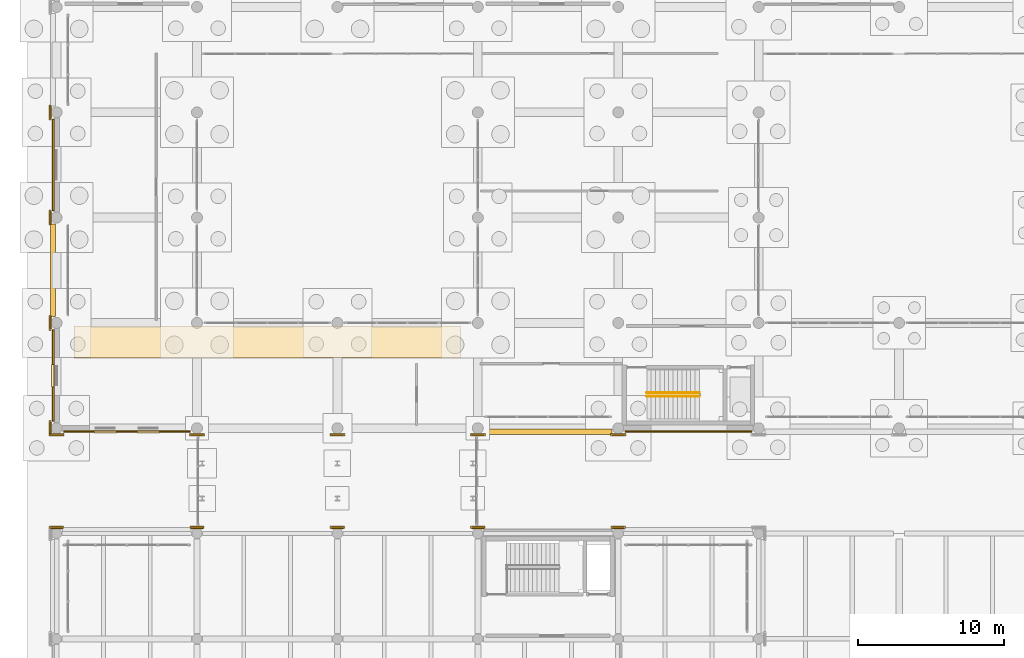
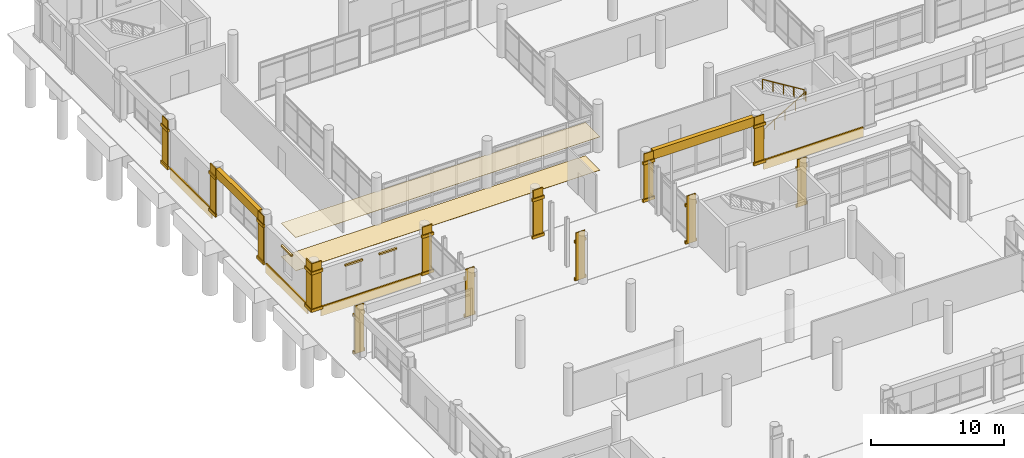
# One storey, part 182 of 196: 53 coverings, 2 railings.
"""IFC4 building model written with IfcOpenShell, lengths in metres."""

from ifc_helpers import new_model, si_unit, direction, frame, origin, origin_2d, place, context, subcontext, project, spatial, polyline, rectangle, circle, outline, extrude, material, layer, layer_set, type_object, element, save


model = new_model("IFC4")

# Units and contexts
model_context = context("Model", 3, precision=1e-05, world=origin(), true_north=direction((0.0, 1.0)))
body_context = subcontext(model_context, "Body", "Model", "MODEL_VIEW")
ifc_project = project(units=[si_unit("LENGTHUNIT", "METRE"), si_unit("AREAUNIT", "SQUARE_METRE"), si_unit("VOLUMEUNIT", "CUBIC_METRE"), si_unit("PLANEANGLEUNIT", "RADIAN"), si_unit("MASSUNIT", "GRAM", prefix="KILO")], contexts=[model_context])

# Site, building, storey
site_placement = place(None, origin())
site = spatial("IfcSite", under=ifc_project, at=site_placement, CompositionType="ELEMENT")
building_placement = place(site_placement, origin())
building = spatial("IfcBuilding", under=site, at=building_placement, Name="Asteropetra Specialist Clinic", CompositionType="ELEMENT")
storey_placement = place(building_placement, origin())
storey = spatial("IfcBuildingStorey", under=building, at=storey_placement, Name="L00", CompositionType="ELEMENT", Elevation=0.0)

# Coverings
ifc_material_1 = material(Name="Hygienic acoustic ceiling tile")
ifc_layer_1 = layer(ifc_material_1, 0.02490234375)
ifc_layer_set_1 = layer_set([ifc_layer_1], Name="Hygienic acoustic ceiling tile")
covering_type_1 = type_object("IfcCoveringType", Name="CLG-ACOUSTIC", PredefinedType="CEILING", material=ifc_layer_set_1)
covering_1_placement = place(storey_placement, frame((0.0, 0.0, 3.050048828125)))
element("IfcCovering", 1, at=covering_1_placement, inside=storey, type_object=covering_type_1, Name="Acoustic Ceiling CLG-L00-V4", PredefinedType="CEILING", context=body_context, shape_type="SweptSolid", body=[
    extrude(outline(polyline([(1.199951171875, 74.39990234375), (27.60009765625, 74.39990234375), (27.60009765625, 76.60009765625), (1.199951171875, 76.60009765625), (1.199951171875, 74.39990234375)])), origin(), (0.0, 0.0, 1.0), 0.02490234375),
])
ifc_material_2 = material(Name="Pentelic marble ashlar", Category="masonry")
ifc_layer_2 = layer(ifc_material_2, 0.159912109375)
ifc_layer_set_2 = layer_set([ifc_layer_2], Name="Pentelic marble ashlar")
covering_type_2 = type_object("IfcCoveringType", Name="CRN-ENTAB-600", PredefinedType="MOLDING", material=ifc_layer_set_2)
covering_2_placement = place(storey_placement, frame((33.60009765625, 69.360107421875, 3.58984375), z_axis=(0.0, 0.0, 1.0), x_axis=(1.0, 0.0, 0.0)))
element("IfcCovering", 2, at=covering_2_placement, inside=storey, type_object=covering_type_2, Name="Stoa Classical Entablature SE-0063", PredefinedType="MOLDING", context=body_context, shape_type="SweptSolid", body=[
    extrude(rectangle(XDim=8.72998046875, YDim=0.360107421875, at=origin_2d()), origin(), (0.0, 0.0, 1.0), 0.820068359375),
])
covering_3_placement = place(storey_placement, frame((-0.239990234375, 80.39990234375, 3.58984375), z_axis=(0.0, 0.0, 1.0), x_axis=(1.0, 0.0, 0.0)))
element("IfcCovering", 3, at=covering_3_placement, inside=storey, type_object=covering_type_2, Name="Stoa Classical Entablature SE-0067", PredefinedType="MOLDING", context=body_context, shape_type="SweptSolid", body=[
    extrude(rectangle(XDim=0.360107421875, YDim=6.330078125, at=origin_2d()), origin(), (0.0, 0.0, 1.0), 0.820068359375),
])
covering_4_placement = place(storey_placement, frame((0.0, 69.193115234375, 0.02001953125), z_axis=(0.0, 0.0, 1.0), x_axis=(1.0, 0.0, 0.0)))
element("IfcCovering", 4, at=covering_4_placement, inside=storey, type_object=covering_type_2, Name="Neoclassical Pilaster Facing CM-0457", PredefinedType="MOLDING", context=body_context, shape_type="SweptSolid", body=[
    extrude(rectangle(XDim=0.830078125, YDim=0.080078125, at=origin_2d()), origin(), (0.0, 0.0, 1.0), 4.3798828125),
])
for number, where, z_axis, x_axis, name in (
    (5, (0.0, 69.153076171875, 0.009765625), (0.0, 0.0, 1.0), (1.0, 0.0, 0.0), "Doric Base CC-0458"),
    (6, (0.0, 69.153076171875, 3.43017578125), (0.0, 0.0, 1.0), (1.0, 0.0, 0.0), "Doric Capital CC-0459"),
):
    element("IfcCovering", number, at=place(storey_placement, frame(where, z_axis=z_axis, x_axis=x_axis)), inside=storey, type_object=covering_type_2, Name=name, PredefinedType="MOLDING", context=body_context, shape_type="SweptSolid", body=[
        extrude(rectangle(XDim=1.030029296875, YDim=0.159912109375, at=origin_2d()), origin(), (0.0, 0.0, 1.0), 0.260009765625),
    ])
covering_5_placement = place(storey_placement, frame((-0.406982421875, 69.60009765625, 0.02001953125), z_axis=(0.0, 0.0, 1.0), x_axis=(1.0, 0.0, 0.0)))
element("IfcCovering", 7, at=covering_5_placement, inside=storey, type_object=covering_type_2, Name="Neoclassical Pilaster Facing CM-0460", PredefinedType="MOLDING", context=body_context, shape_type="SweptSolid", body=[
    extrude(rectangle(XDim=0.080078125, YDim=0.830078125, at=origin_2d()), origin(), (0.0, 0.0, 1.0), 4.3798828125),
])
for number, where, z_axis, x_axis, name in (
    (8, (-0.447021484375, 69.60009765625, 0.009765625), (0.0, 0.0, 1.0), (1.0, 0.0, 0.0), "Doric Base CC-0461"),
    (9, (-0.447021484375, 69.60009765625, 3.43017578125), (0.0, 0.0, 1.0), (1.0, 0.0, 0.0), "Doric Capital CC-0462"),
):
    element("IfcCovering", number, at=place(storey_placement, frame(where, z_axis=z_axis, x_axis=x_axis)), inside=storey, type_object=covering_type_2, Name=name, PredefinedType="MOLDING", context=body_context, shape_type="SweptSolid", body=[
        extrude(rectangle(XDim=0.159912109375, YDim=1.030029296875, at=origin_2d()), origin(), (0.0, 0.0, 1.0), 0.260009765625),
    ])
covering_6_placement = place(storey_placement, frame((-0.406982421875, 76.800048828125, 0.02001953125), z_axis=(0.0, 0.0, 1.0), x_axis=(1.0, 0.0, 0.0)))
element("IfcCovering", 10, at=covering_6_placement, inside=storey, type_object=covering_type_2, Name="Neoclassical Pilaster Facing CM-0463", PredefinedType="MOLDING", context=body_context, shape_type="SweptSolid", body=[
    extrude(rectangle(XDim=0.080078125, YDim=0.830078125, at=origin_2d()), origin(), (0.0, 0.0, 1.0), 4.3798828125),
])
for number, where, z_axis, x_axis, name in (
    (11, (-0.447021484375, 76.800048828125, 0.009765625), (0.0, 0.0, 1.0), (1.0, 0.0, 0.0), "Doric Base CC-0464"),
    (12, (-0.447021484375, 76.800048828125, 3.43017578125), (0.0, 0.0, 1.0), (1.0, 0.0, 0.0), "Doric Capital CC-0465"),
):
    element("IfcCovering", number, at=place(storey_placement, frame(where, z_axis=z_axis, x_axis=x_axis)), inside=storey, type_object=covering_type_2, Name=name, PredefinedType="MOLDING", context=body_context, shape_type="SweptSolid", body=[
        extrude(rectangle(XDim=0.159912109375, YDim=1.030029296875, at=origin_2d()), origin(), (0.0, 0.0, 1.0), 0.260009765625),
    ])
covering_7_placement = place(storey_placement, frame((-0.406982421875, 84.0, 0.02001953125), z_axis=(0.0, 0.0, 1.0), x_axis=(1.0, 0.0, 0.0)))
element("IfcCovering", 13, at=covering_7_placement, inside=storey, type_object=covering_type_2, Name="Neoclassical Pilaster Facing CM-0466", PredefinedType="MOLDING", context=body_context, shape_type="SweptSolid", body=[
    extrude(rectangle(XDim=0.080078125, YDim=0.830078125, at=origin_2d()), origin(), (0.0, 0.0, 1.0), 4.3798828125),
])
for number, where, z_axis, x_axis, name in (
    (14, (-0.447021484375, 84.0, 0.009765625), (0.0, 0.0, 1.0), (1.0, 0.0, 0.0), "Doric Base CC-0467"),
    (15, (-0.447021484375, 84.0, 3.43017578125), (0.0, 0.0, 1.0), (1.0, 0.0, 0.0), "Doric Capital CC-0468"),
):
    element("IfcCovering", number, at=place(storey_placement, frame(where, z_axis=z_axis, x_axis=x_axis)), inside=storey, type_object=covering_type_2, Name=name, PredefinedType="MOLDING", context=body_context, shape_type="SweptSolid", body=[
        extrude(rectangle(XDim=0.159912109375, YDim=1.030029296875, at=origin_2d()), origin(), (0.0, 0.0, 1.0), 0.260009765625),
    ])
covering_8_placement = place(storey_placement, frame((-0.406982421875, 91.199951171875, 0.02001953125), z_axis=(0.0, 0.0, 1.0), x_axis=(1.0, 0.0, 0.0)))
element("IfcCovering", 16, at=covering_8_placement, inside=storey, type_object=covering_type_2, Name="Neoclassical Pilaster Facing CM-0469", PredefinedType="MOLDING", context=body_context, shape_type="SweptSolid", body=[
    extrude(rectangle(XDim=0.080078125, YDim=0.830078125, at=origin_2d()), origin(), (0.0, 0.0, 1.0), 4.3798828125),
])
for number, where, z_axis, x_axis, name in (
    (17, (-0.447021484375, 91.199951171875, 0.009765625), (0.0, 0.0, 1.0), (1.0, 0.0, 0.0), "Doric Base CC-0470"),
    (18, (-0.447021484375, 91.199951171875, 3.43017578125), (0.0, 0.0, 1.0), (1.0, 0.0, 0.0), "Doric Capital CC-0471"),
):
    element("IfcCovering", number, at=place(storey_placement, frame(where, z_axis=z_axis, x_axis=x_axis)), inside=storey, type_object=covering_type_2, Name=name, PredefinedType="MOLDING", context=body_context, shape_type="SweptSolid", body=[
        extrude(rectangle(XDim=0.159912109375, YDim=1.030029296875, at=origin_2d()), origin(), (0.0, 0.0, 1.0), 0.260009765625),
    ])
covering_9_placement = place(storey_placement, frame((9.60009765625, 69.193115234375, 0.02001953125), z_axis=(0.0, 0.0, 1.0), x_axis=(1.0, 0.0, 0.0)))
element("IfcCovering", 19, at=covering_9_placement, inside=storey, type_object=covering_type_2, Name="Neoclassical Pilaster Facing CM-0484", PredefinedType="MOLDING", context=body_context, shape_type="SweptSolid", body=[
    extrude(rectangle(XDim=0.830078125, YDim=0.080078125, at=origin_2d()), origin(), (0.0, 0.0, 1.0), 4.3798828125),
])
for number, where, z_axis, x_axis, name in (
    (20, (9.60009765625, 69.153076171875, 0.009765625), (0.0, 0.0, 1.0), (1.0, 0.0, 0.0), "Doric Base CC-0485"),
    (21, (9.60009765625, 69.153076171875, 3.43017578125), (0.0, 0.0, 1.0), (1.0, 0.0, 0.0), "Doric Capital CC-0486"),
):
    element("IfcCovering", number, at=place(storey_placement, frame(where, z_axis=z_axis, x_axis=x_axis)), inside=storey, type_object=covering_type_2, Name=name, PredefinedType="MOLDING", context=body_context, shape_type="SweptSolid", body=[
        extrude(rectangle(XDim=1.030029296875, YDim=0.159912109375, at=origin_2d()), origin(), (0.0, 0.0, 1.0), 0.260009765625),
    ])
covering_10_placement = place(storey_placement, frame((19.199951171875, 69.193115234375, 0.02001953125), z_axis=(0.0, 0.0, 1.0), x_axis=(1.0, 0.0, 0.0)))
element("IfcCovering", 22, at=covering_10_placement, inside=storey, type_object=covering_type_2, Name="Neoclassical Pilaster Facing CM-0490", PredefinedType="MOLDING", context=body_context, shape_type="SweptSolid", body=[
    extrude(rectangle(XDim=0.830078125, YDim=0.080078125, at=origin_2d()), origin(), (0.0, 0.0, 1.0), 4.3798828125),
])
for number, where, z_axis, x_axis, name in (
    (23, (19.199951171875, 69.153076171875, 0.009765625), (0.0, 0.0, 1.0), (1.0, 0.0, 0.0), "Doric Base CC-0491"),
    (24, (19.199951171875, 69.153076171875, 3.43017578125), (0.0, 0.0, 1.0), (1.0, 0.0, 0.0), "Doric Capital CC-0492"),
):
    element("IfcCovering", number, at=place(storey_placement, frame(where, z_axis=z_axis, x_axis=x_axis)), inside=storey, type_object=covering_type_2, Name=name, PredefinedType="MOLDING", context=body_context, shape_type="SweptSolid", body=[
        extrude(rectangle(XDim=1.030029296875, YDim=0.159912109375, at=origin_2d()), origin(), (0.0, 0.0, 1.0), 0.260009765625),
    ])
covering_11_placement = place(storey_placement, frame((28.800048828125, 69.193115234375, 0.02001953125), z_axis=(0.0, 0.0, 1.0), x_axis=(1.0, 0.0, 0.0)))
element("IfcCovering", 25, at=covering_11_placement, inside=storey, type_object=covering_type_2, Name="Neoclassical Pilaster Facing CM-0496", PredefinedType="MOLDING", context=body_context, shape_type="SweptSolid", body=[
    extrude(rectangle(XDim=0.830078125, YDim=0.080078125, at=origin_2d()), origin(), (0.0, 0.0, 1.0), 4.3798828125),
])
for number, where, z_axis, x_axis, name in (
    (26, (28.800048828125, 69.153076171875, 0.009765625), (0.0, 0.0, 1.0), (1.0, 0.0, 0.0), "Doric Base CC-0497"),
    (27, (28.800048828125, 69.153076171875, 3.43017578125), (0.0, 0.0, 1.0), (1.0, 0.0, 0.0), "Doric Capital CC-0498"),
):
    element("IfcCovering", number, at=place(storey_placement, frame(where, z_axis=z_axis, x_axis=x_axis)), inside=storey, type_object=covering_type_2, Name=name, PredefinedType="MOLDING", context=body_context, shape_type="SweptSolid", body=[
        extrude(rectangle(XDim=1.030029296875, YDim=0.159912109375, at=origin_2d()), origin(), (0.0, 0.0, 1.0), 0.260009765625),
    ])
covering_12_placement = place(storey_placement, frame((38.39990234375, 69.193115234375, 0.02001953125), z_axis=(0.0, 0.0, 1.0), x_axis=(1.0, 0.0, 0.0)))
element("IfcCovering", 28, at=covering_12_placement, inside=storey, type_object=covering_type_2, Name="Neoclassical Pilaster Facing CM-0502", PredefinedType="MOLDING", context=body_context, shape_type="SweptSolid", body=[
    extrude(rectangle(XDim=0.830078125, YDim=0.080078125, at=origin_2d()), origin(), (0.0, 0.0, 1.0), 4.3798828125),
])
for number, where, z_axis, x_axis, name in (
    (29, (38.39990234375, 69.153076171875, 0.009765625), (0.0, 0.0, 1.0), (1.0, 0.0, 0.0), "Doric Base CC-0503"),
    (30, (38.39990234375, 69.153076171875, 3.43017578125), (0.0, 0.0, 1.0), (1.0, 0.0, 0.0), "Doric Capital CC-0504"),
):
    element("IfcCovering", number, at=place(storey_placement, frame(where, z_axis=z_axis, x_axis=x_axis)), inside=storey, type_object=covering_type_2, Name=name, PredefinedType="MOLDING", context=body_context, shape_type="SweptSolid", body=[
        extrude(rectangle(XDim=1.030029296875, YDim=0.159912109375, at=origin_2d()), origin(), (0.0, 0.0, 1.0), 0.260009765625),
    ])
covering_13_placement = place(storey_placement, frame((0.0, 62.781982421875, 0.02001953125), z_axis=(0.0, 0.0, 1.0), x_axis=(1.0, 0.0, 0.0)))
element("IfcCovering", 31, at=covering_13_placement, inside=storey, type_object=covering_type_2, Name="Neoclassical Pilaster Facing CM-0760", PredefinedType="MOLDING", context=body_context, shape_type="SweptSolid", body=[
    extrude(rectangle(XDim=0.780029296875, YDim=0.080078125, at=origin_2d()), origin(), (0.0, 0.0, 1.0), 4.3798828125),
])
for number, where, z_axis, x_axis, name in (
    (32, (0.0, 62.822021484375, 0.009765625), (0.0, 0.0, 1.0), (1.0, 0.0, 0.0), "Doric Base CC-0761"),
    (33, (0.0, 62.822021484375, 3.43017578125), (0.0, 0.0, 1.0), (1.0, 0.0, 0.0), "Doric Capital CC-0762"),
):
    element("IfcCovering", number, at=place(storey_placement, frame(where, z_axis=z_axis, x_axis=x_axis)), inside=storey, type_object=covering_type_2, Name=name, PredefinedType="MOLDING", context=body_context, shape_type="SweptSolid", body=[
        extrude(rectangle(XDim=0.97998046875, YDim=0.159912109375, at=origin_2d()), origin(), (0.0, 0.0, 1.0), 0.260009765625),
    ])
covering_14_placement = place(storey_placement, frame((9.60009765625, 62.781982421875, 0.02001953125), z_axis=(0.0, 0.0, 1.0), x_axis=(1.0, 0.0, 0.0)))
element("IfcCovering", 34, at=covering_14_placement, inside=storey, type_object=covering_type_2, Name="Neoclassical Pilaster Facing CM-0769", PredefinedType="MOLDING", context=body_context, shape_type="SweptSolid", body=[
    extrude(rectangle(XDim=0.780029296875, YDim=0.080078125, at=origin_2d()), origin(), (0.0, 0.0, 1.0), 4.3798828125),
])
for number, where, z_axis, x_axis, name in (
    (35, (9.60009765625, 62.822021484375, 0.009765625), (0.0, 0.0, 1.0), (1.0, 0.0, 0.0), "Doric Base CC-0770"),
    (36, (9.60009765625, 62.822021484375, 3.43017578125), (0.0, 0.0, 1.0), (1.0, 0.0, 0.0), "Doric Capital CC-0771"),
):
    element("IfcCovering", number, at=place(storey_placement, frame(where, z_axis=z_axis, x_axis=x_axis)), inside=storey, type_object=covering_type_2, Name=name, PredefinedType="MOLDING", context=body_context, shape_type="SweptSolid", body=[
        extrude(rectangle(XDim=0.97998046875, YDim=0.159912109375, at=origin_2d()), origin(), (0.0, 0.0, 1.0), 0.260009765625),
    ])
covering_15_placement = place(storey_placement, frame((19.199951171875, 62.781982421875, 0.02001953125), z_axis=(0.0, 0.0, 1.0), x_axis=(1.0, 0.0, 0.0)))
element("IfcCovering", 37, at=covering_15_placement, inside=storey, type_object=covering_type_2, Name="Neoclassical Pilaster Facing CM-0775", PredefinedType="MOLDING", context=body_context, shape_type="SweptSolid", body=[
    extrude(rectangle(XDim=0.780029296875, YDim=0.080078125, at=origin_2d()), origin(), (0.0, 0.0, 1.0), 4.3798828125),
])
for number, where, z_axis, x_axis, name in (
    (38, (19.199951171875, 62.822021484375, 0.009765625), (0.0, 0.0, 1.0), (1.0, 0.0, 0.0), "Doric Base CC-0776"),
    (39, (19.199951171875, 62.822021484375, 3.43017578125), (0.0, 0.0, 1.0), (1.0, 0.0, 0.0), "Doric Capital CC-0777"),
):
    element("IfcCovering", number, at=place(storey_placement, frame(where, z_axis=z_axis, x_axis=x_axis)), inside=storey, type_object=covering_type_2, Name=name, PredefinedType="MOLDING", context=body_context, shape_type="SweptSolid", body=[
        extrude(rectangle(XDim=0.97998046875, YDim=0.159912109375, at=origin_2d()), origin(), (0.0, 0.0, 1.0), 0.260009765625),
    ])
covering_16_placement = place(storey_placement, frame((28.800048828125, 62.781982421875, 0.02001953125), z_axis=(0.0, 0.0, 1.0), x_axis=(1.0, 0.0, 0.0)))
element("IfcCovering", 40, at=covering_16_placement, inside=storey, type_object=covering_type_2, Name="Neoclassical Pilaster Facing CM-0781", PredefinedType="MOLDING", context=body_context, shape_type="SweptSolid", body=[
    extrude(rectangle(XDim=0.780029296875, YDim=0.080078125, at=origin_2d()), origin(), (0.0, 0.0, 1.0), 4.3798828125),
])
for number, where, z_axis, x_axis, name in (
    (41, (28.800048828125, 62.822021484375, 0.009765625), (0.0, 0.0, 1.0), (1.0, 0.0, 0.0), "Doric Base CC-0782"),
    (42, (28.800048828125, 62.822021484375, 3.43017578125), (0.0, 0.0, 1.0), (1.0, 0.0, 0.0), "Doric Capital CC-0783"),
):
    element("IfcCovering", number, at=place(storey_placement, frame(where, z_axis=z_axis, x_axis=x_axis)), inside=storey, type_object=covering_type_2, Name=name, PredefinedType="MOLDING", context=body_context, shape_type="SweptSolid", body=[
        extrude(rectangle(XDim=0.97998046875, YDim=0.159912109375, at=origin_2d()), origin(), (0.0, 0.0, 1.0), 0.260009765625),
    ])
covering_17_placement = place(storey_placement, frame((38.39990234375, 62.781982421875, 0.02001953125), z_axis=(0.0, 0.0, 1.0), x_axis=(1.0, 0.0, 0.0)))
element("IfcCovering", 43, at=covering_17_placement, inside=storey, type_object=covering_type_2, Name="Neoclassical Pilaster Facing CM-0787", PredefinedType="MOLDING", context=body_context, shape_type="SweptSolid", body=[
    extrude(rectangle(XDim=0.780029296875, YDim=0.080078125, at=origin_2d()), origin(), (0.0, 0.0, 1.0), 4.3798828125),
])
for number, where, z_axis, x_axis, name in (
    (44, (38.39990234375, 62.822021484375, 0.009765625), (0.0, 0.0, 1.0), (1.0, 0.0, 0.0), "Doric Base CC-0788"),
    (45, (38.39990234375, 62.822021484375, 3.43017578125), (0.0, 0.0, 1.0), (1.0, 0.0, 0.0), "Doric Capital CC-0789"),
):
    element("IfcCovering", number, at=place(storey_placement, frame(where, z_axis=z_axis, x_axis=x_axis)), inside=storey, type_object=covering_type_2, Name=name, PredefinedType="MOLDING", context=body_context, shape_type="SweptSolid", body=[
        extrude(rectangle(XDim=0.97998046875, YDim=0.159912109375, at=origin_2d()), origin(), (0.0, 0.0, 1.0), 0.260009765625),
    ])
for number, where, z_axis, x_axis, name in (
    (46, (3.324951171875, 69.340087890625, 3.05029296875), (0.0, 0.0, 1.0), (1.0, 0.0, 0.0), "Classical Window Hood WH-1374"),
    (47, (6.27490234375, 69.340087890625, 3.05029296875), (0.0, 0.0, 1.0), (1.0, 0.0, 0.0), "Classical Window Hood WH-1375"),
):
    element("IfcCovering", number, at=place(storey_placement, frame(where, z_axis=z_axis, x_axis=x_axis)), inside=storey, type_object=covering_type_2, Name=name, PredefinedType="MOLDING", context=body_context, shape_type="SweptSolid", body=[
        extrude(rectangle(XDim=1.5400390625, YDim=0.159912109375, at=origin_2d()), origin(), (0.0, 0.0, 1.0), 0.139892578125),
    ])
for number, where, z_axis, x_axis, name in (
    (48, (4.800048828125, 69.3701171875, -0.800048828125), (0.0, 0.0, 1.0), (1.0, 0.0, 0.0), "Chevron Spandrel Band CV-1376"),
    (49, (43.199951171875, 69.3701171875, -0.800048828125), (0.0, 0.0, 1.0), (1.0, 0.0, 0.0), "Chevron Spandrel Band CV-1387"),
):
    element("IfcCovering", number, at=place(storey_placement, frame(where, z_axis=z_axis, x_axis=x_axis)), inside=storey, type_object=covering_type_2, Name=name, PredefinedType="MOLDING", context=body_context, shape_type="SweptSolid", body=[
        extrude(rectangle(XDim=8.64990234375, YDim=0.1201171875, at=origin_2d()), origin(), (0.0, 0.0, 1.0), 0.8798828125),
    ])
covering_18_placement = place(storey_placement, frame((-0.260009765625, 73.199951171875, 3.05029296875), z_axis=(0.0, 0.0, 1.0), x_axis=(1.0, 0.0, 0.0)))
element("IfcCovering", 50, at=covering_18_placement, inside=storey, type_object=covering_type_2, Name="Classical Window Hood WH-1398", PredefinedType="MOLDING", context=body_context, shape_type="SweptSolid", body=[
    extrude(rectangle(XDim=0.159912109375, YDim=1.5400390625, at=origin_2d()), origin(), (0.0, 0.0, 1.0), 0.139892578125),
])
for number, where, z_axis, x_axis, name in (
    (51, (-0.22998046875, 73.199951171875, -0.800048828125), (0.0, 0.0, 1.0), (1.0, 0.0, 0.0), "Chevron Spandrel Band CV-1399"),
    (52, (-0.22998046875, 87.60009765625, -0.800048828125), (0.0, 0.0, 1.0), (1.0, 0.0, 0.0), "Chevron Spandrel Band CV-1402"),
):
    element("IfcCovering", number, at=place(storey_placement, frame(where, z_axis=z_axis, x_axis=x_axis)), inside=storey, type_object=covering_type_2, Name=name, PredefinedType="MOLDING", context=body_context, shape_type="SweptSolid", body=[
        extrude(rectangle(XDim=0.1201171875, YDim=6.25, at=origin_2d()), origin(), (0.0, 0.0, 1.0), 0.8798828125),
    ])
ifc_material_3 = material(Name="Attic marble terrazzo flooring", Category="masonry")
ifc_layer_3 = layer(ifc_material_3, 0.02001953125)
ifc_layer_set_3 = layer_set([ifc_layer_3], Name="Attic marble terrazzo flooring")
covering_type_3 = type_object("IfcCoveringType", Name="FLR-TERRAZZO", PredefinedType="FLOORING", material=ifc_layer_set_3)
covering_19_placement = place(storey_placement, origin())
element("IfcCovering", 53, at=covering_19_placement, inside=storey, type_object=covering_type_3, Name="Terrazzo Flooring CLG-L00-V4", PredefinedType="FLOORING", context=body_context, shape_type="SweptSolid", body=[
    extrude(outline(polyline([(1.199951171875, 74.39990234375), (27.60009765625, 74.39990234375), (27.60009765625, 76.60009765625), (1.199951171875, 76.60009765625), (1.199951171875, 74.39990234375)])), origin(), (0.0, 0.0, 1.0), 0.02001953125),
])

# Railings
ifc_material_4 = material(Name="Brushed stainless steel handrail", Category="steel")
railing_type = type_object("IfcRailingType", Name="HRL-STAIR-920", PredefinedType="HANDRAIL", material=ifc_material_4)
railing_1_placement = place(storey_placement, frame((40.35009765625, 71.7900390625, 0.0)))
element("IfcRailing", 54, at=railing_1_placement, inside=storey, type_object=railing_type, Name="Stair Handrail ST03-L00 F1", PredefinedType="HANDRAIL", context=body_context, shape_type="SweptSolid", body=[
    extrude(circle(Radius=0.02392578125, at=origin_2d()), frame((0.0, 0.0, 0.89599609375), z_axis=(0.852221410125, 0.0, 0.523181295656), x_axis=(0.0, 1.0, 0.0)), (0.0, 0.0, 1.0), 4.22412109375),
    extrude(circle(Radius=0.02099609375, at=origin_2d()), origin(), (0.0, 0.0, 1.0), 0.871826171875),
    extrude(circle(Radius=0.02099609375, at=origin_2d()), frame((0.89990234375, 0.0, 0.552490234375)), (0.0, 0.0, 1.0), 0.871826171875),
    extrude(circle(Radius=0.02099609375, at=origin_2d()), frame((1.7998046875, 0.0, 1.10498046875)), (0.0, 0.0, 1.0), 0.871826171875),
    extrude(circle(Radius=0.02099609375, at=origin_2d()), frame((2.699951171875, 0.0, 1.657470703125)), (0.0, 0.0, 1.0), 0.871826171875),
    extrude(circle(Radius=0.02099609375, at=origin_2d()), frame((3.599853515625, 0.0, 2.2099609375)), (0.0, 0.0, 1.0), 0.871826171875),
])
railing_2_placement = place(storey_placement, frame((43.949951171875, 72.030029296875, 2.2099609375)))
element("IfcRailing", 55, at=railing_2_placement, inside=storey, type_object=railing_type, Name="Stair Handrail ST03-L00 F2", PredefinedType="HANDRAIL", context=body_context, shape_type="SweptSolid", body=[
    extrude(circle(Radius=0.02392578125, at=origin_2d()), frame((0.0, 0.0, 0.89599609375), z_axis=(-0.852221410125, 0.0, 0.523181295656), x_axis=(0.0, -1.0, 0.0)), (0.0, 0.0, 1.0), 4.22412109375),
    extrude(circle(Radius=0.02099609375, at=origin_2d()), origin(), (0.0, 0.0, 1.0), 0.871826171875),
    extrude(circle(Radius=0.02099609375, at=origin_2d()), frame((-0.89990234375, 0.0, 0.552490234375)), (0.0, 0.0, 1.0), 0.871826171875),
    extrude(circle(Radius=0.02099609375, at=origin_2d()), frame((-1.7998046875, 0.0, 1.10498046875)), (0.0, 0.0, 1.0), 0.871826171875),
    extrude(circle(Radius=0.02099609375, at=origin_2d()), frame((-2.699951171875, 0.0, 1.657470703125)), (0.0, 0.0, 1.0), 0.871826171875),
    extrude(circle(Radius=0.02099609375, at=origin_2d()), frame((-3.599853515625, 0.0, 2.2099609375)), (0.0, 0.0, 1.0), 0.871826171875),
])

save(model, "model.ifc")
